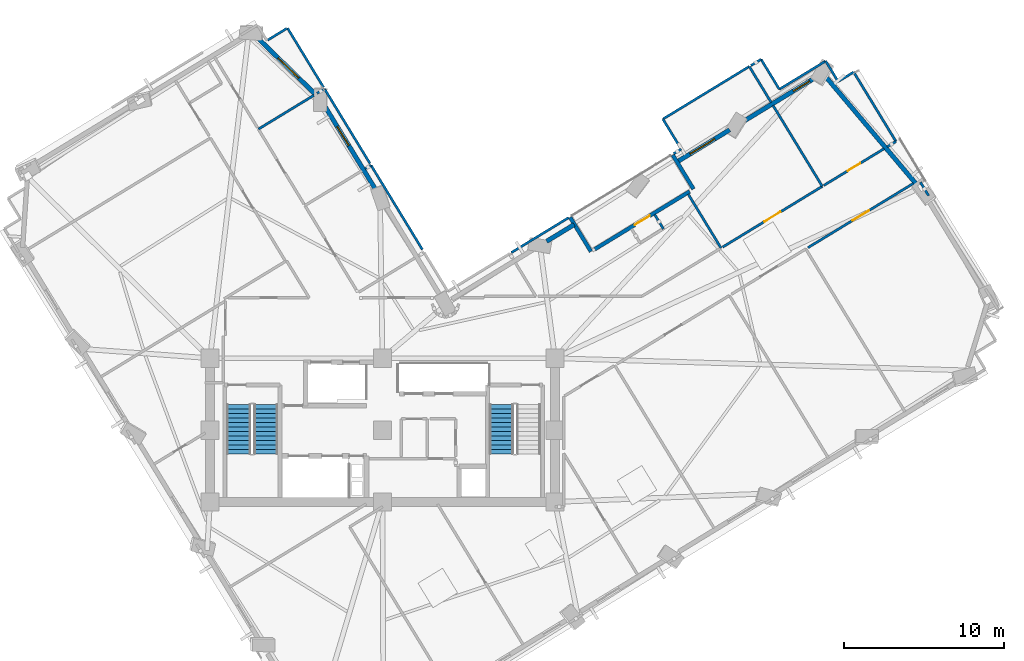
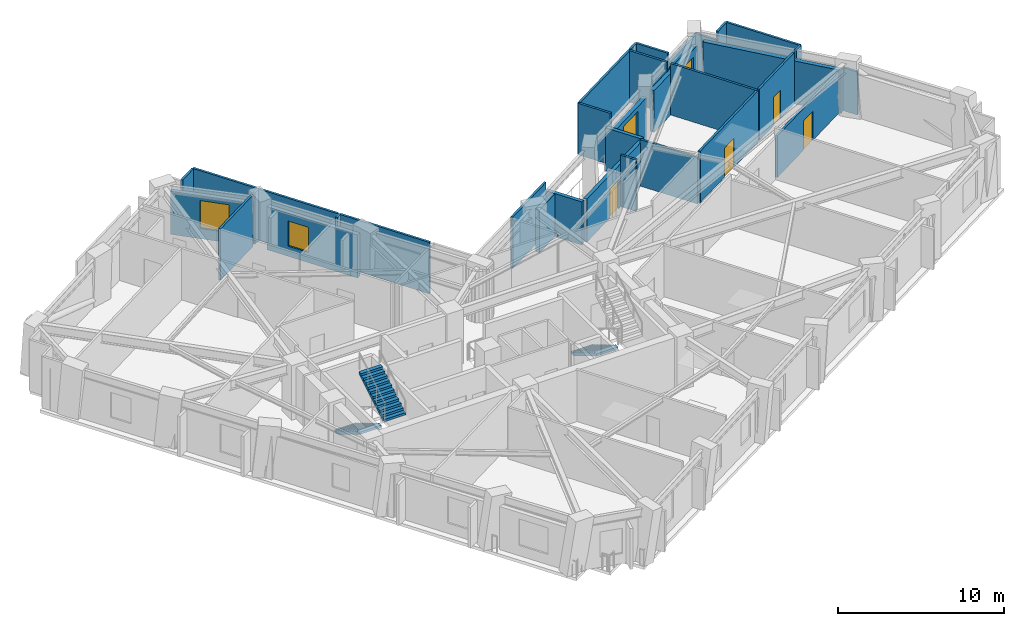
# One storey, part 8 of 14: 35 walls, 4 doors, 4 windows, 3 stair flights, 8 openings, 2 elements without a shape of their own.
"""IFC4 building model written with IfcOpenShell, lengths in metres."""

from ifc_helpers import new_model, si_unit, direction, frame, frame_2d, origin, place, context, subcontext, project, spatial, polyline, rectangle, outline, extrude, material, layer, layer_set, type_object, element, fill, aggregate, save


model = new_model("IFC4")

# Units and contexts
model_context = context("Model", 3, precision=1e-05, world=origin(), true_north=direction((0.0, 1.0)))
body_context = subcontext(model_context, "Body", "Model", "MODEL_VIEW")
ifc_project = project(units=[si_unit("LENGTHUNIT", "METRE"), si_unit("AREAUNIT", "SQUARE_METRE"), si_unit("VOLUMEUNIT", "CUBIC_METRE"), si_unit("PLANEANGLEUNIT", "RADIAN"), si_unit("MASSUNIT", "GRAM", prefix="KILO")], contexts=[model_context])

# Site, building, storey
site_placement = place(None, origin())
site = spatial("IfcSite", under=ifc_project, at=site_placement, CompositionType="ELEMENT")
building_placement = place(site_placement, origin())
building = spatial("IfcBuilding", under=site, at=building_placement, Name="Gaonmaruhae Medical Tower", CompositionType="ELEMENT")
storey_placement = place(building_placement, frame((0.0, 0.0, 157.800048828125)))
storey = spatial("IfcBuildingStorey", under=building, at=storey_placement, Name="L37", CompositionType="ELEMENT", Elevation=157.800048828125)

# Wall, opening, door
ifc_material_1 = material(Name="Precast concrete C45/55", Category="concrete")
ifc_layer_1 = layer(ifc_material_1, 0.239990234375)
ifc_layer_set_1 = layer_set([ifc_layer_1], Name="Precast concrete C45/55")
wall_type_1 = type_object("IfcWallType", Name="EW-240 Ribbon & Shelter Insulated Precast Wall", PredefinedType="SOLIDWALL", material=ifc_layer_set_1)
wall_1_placement = place(storey_placement, frame((38.0927734375, 23.6259765625, 0.0), z_axis=(0.0, 0.0, 1.0), x_axis=(0.854000704192, 0.520271849363, 0.0)))
wall_1 = element("IfcWall", 1, at=wall_1_placement, inside=storey, type_object=wall_type_1, Name="L37 Recessed Terrace Enclosure Wall TERB", PredefinedType="SOLIDWALL", context=body_context, shape_type="SweptSolid", body=[
    extrude(rectangle(XDim=6.9599609375, YDim=0.239990234375, at=frame_2d((3.47998046875, 0.0))), origin(), (0.0, 0.0, 1.0), 3.1650390625),
])
opening_1_placement = place(wall_1_placement, frame((2.929931640625, 0.0, 0.0)))
opening_1 = element("IfcOpeningElement", 2, at=opening_1_placement, cuts=wall_1, Name="Opening TD-01", PredefinedType="OPENING", context=body_context, shape_type="SweptSolid", body=[
    extrude(rectangle(XDim=1.10009765625, YDim=2.14990234375, at=frame_2d((0.550048828125, 1.074951171875))), frame((0.0, 0.1298828125, 0.0), z_axis=(0.0, -1.0, 0.0), x_axis=(1.0, 0.0, 0.0)), (0.0, 0.0, 1.0), 0.260009765625),
])
ifc_material_2 = material(Name="Anodised aluminium and toughened safety glass", Category="aluminium")
door_type_1 = type_object("IfcDoorType", Name="TD-01 Terrace & Sky Garden Glazed Door 1100x2150", OperationType="NOTDEFINED", PredefinedType="DOOR", material=ifc_material_2)
door_1_placement = place(opening_1_placement, origin())
door_1 = element("IfcDoor", 3, at=door_1_placement, inside=storey, type_object=door_type_1, Name="L37 Outdoor Terrace Access Door SLB-L37-TER", OperationType="SINGLE_SWING_LEFT", OverallHeight=2.14990234375, OverallWidth=1.10009765625, PredefinedType="DOOR", context=body_context, shape_type="SweptSolid", body=[
    extrude(rectangle(XDim=1.10009765625, YDim=2.14990234375, at=frame_2d((0.550048828125, 1.074951171875))), frame((0.0, 0.02490234375, 0.0), z_axis=(0.0, -1.0, 0.0), x_axis=(1.0, 0.0, 0.0)), (0.0, 0.0, 1.0), 0.050048828125),
])
fill(opening_1, door_1)

# Walls
for number, where, z_axis, x_axis, name in (
    (4, (36.552978515625, 25.615234375, 0.0), (0.0, 0.0, 1.0), (0.520228849657, -0.854026898865, 0.0), "L37 Recessed Terrace Enclosure Wall TERL"),
    (5, (44.275634765625, 27.392578125, 0.0), (0.0, 0.0, 1.0), (-0.520228849657, 0.854026898865, 0.0), "L37 Recessed Terrace Enclosure Wall TERR"),
):
    element("IfcWall", number, at=place(storey_placement, frame(where, z_axis=z_axis, x_axis=x_axis)), inside=storey, type_object=wall_type_1, Name=name, PredefinedType="SOLIDWALL", context=body_context, shape_type="SweptSolid", body=[
        extrude(rectangle(XDim=2.5, YDim=0.239990234375, at=frame_2d((1.25, 0.0))), origin(), (0.0, 0.0, 1.0), 3.1650390625),
    ])
ifc_layer_2 = layer(ifc_material_1, 0.280029296875)
ifc_layer_set_2 = layer_set([ifc_layer_2], Name="Precast concrete C45/55")
wall_type_2 = type_object("IfcWallType", Name="EW-280 Upper Precast Masonry-Frame Facade Wall", PredefinedType="SOLIDWALL", material=ifc_layer_set_2)
wall_2_placement = place(storey_placement, frame((52.57275390625, 34.40380859375, 0.0), z_axis=(0.0, 0.0, 1.0), x_axis=(0.644659621066, -0.764469733192, 0.0)))
element("IfcWall", 6, at=wall_2_placement, inside=storey, type_object=wall_type_2, Name="L37 Precast Masonry-Frame Wall E02-E03", PredefinedType="SOLIDWALL", context=body_context, shape_type="SweptSolid", body=[
    extrude(rectangle(XDim=8.837646484375, YDim=0.280029296875, at=frame_2d((4.4189453125, 0.0))), origin(), (0.0, 0.0, 1.0), 3.1650390625),
])

# Wall, opening, window
wall_3_placement = place(storey_placement, frame((47.36083984375, 31.602294921875, 0.0), z_axis=(0.0, 0.0, 1.0), x_axis=(0.853997871671, 0.520276498779, 0.0)))
wall_3 = element("IfcWall", 7, at=wall_3_placement, inside=storey, type_object=wall_type_2, Name="L37 Precast Masonry-Frame Wall E03-EN01", PredefinedType="SOLIDWALL", context=body_context, shape_type="SweptSolid", body=[
    extrude(rectangle(XDim=5.40478515625, YDim=0.280029296875, at=frame_2d((2.702392578125, 0.0))), origin(), (0.0, 0.0, 1.0), 3.06494140625),
])
opening_2_placement = place(wall_3_placement, frame((3.706787109375, 0.0, 0.75)))
opening_2 = element("IfcOpeningElement", 8, at=opening_2_placement, cuts=wall_3, Name="Opening WN-05", PredefinedType="OPENING", context=body_context, shape_type="SweptSolid", body=[
    extrude(rectangle(XDim=1.199951171875, YDim=1.75, at=frame_2d((0.60009765625, 0.875))), frame((0.0, 0.14990234375, 0.0), z_axis=(0.0, -1.0, 0.0), x_axis=(1.0, 0.0, 0.0)), (0.0, 0.0, 1.0), 0.300048828125),
])
ifc_material_3 = material(Name="Anodised aluminium and Low-E double glazing", Category="aluminium")
window_type_1 = type_object("IfcWindowType", Name="WN-05 Support & Staff Punched Window 1200x1750", PartitioningType="SINGLE_PANEL", PredefinedType="WINDOW", material=ifc_material_3)
window_1_placement = place(opening_2_placement, origin())
window_1 = element("IfcWindow", 9, at=window_1_placement, inside=storey, type_object=window_type_1, Name="L37 Modular Facade Window E03", OverallHeight=1.75, OverallWidth=1.199951171875, PartitioningType="SINGLE_PANEL", PredefinedType="WINDOW", context=body_context, shape_type="SweptSolid", body=[
    extrude(rectangle(XDim=1.199951171875, YDim=1.75, at=frame_2d((0.60009765625, 0.875))), frame((0.0, 0.030029296875, 0.0), z_axis=(0.0, -1.0, 0.0), x_axis=(1.0, 0.0, 0.0)), (0.0, 0.0, 1.0), 0.06005859375),
])
fill(opening_2, window_1)

wall_4_placement = place(storey_placement, frame((43.257568359375, 29.1025390625, 0.0), z_axis=(0.0, 0.0, 1.0), x_axis=(0.853981369465, 0.520303585041, 0.0)))
wall_4 = element("IfcWall", 10, at=wall_4_placement, inside=storey, type_object=wall_type_2, Name="L37 Precast Masonry-Frame Wall EN01-EN02", PredefinedType="SOLIDWALL", context=body_context, shape_type="SweptSolid", body=[
    extrude(rectangle(XDim=3.843505859375, YDim=0.280029296875, at=frame_2d((1.921875, 0.0))), origin(), (0.0, 0.0, 1.0), 3.14501953125),
])
opening_3_placement = place(wall_4_placement, frame((0.94287109375, 0.0, 0.75)))
opening_3 = element("IfcOpeningElement", 11, at=opening_3_placement, cuts=wall_4, Name="Opening WN-04", PredefinedType="OPENING", context=body_context, shape_type="SweptSolid", body=[
    extrude(rectangle(XDim=1.800048828125, YDim=2.050048828125, at=frame_2d((0.89990234375, 1.02490234375))), frame((0.0, 0.14990234375, 0.0), z_axis=(0.0, -1.0, 0.0), x_axis=(1.0, 0.0, 0.0)), (0.0, 0.0, 1.0), 0.300048828125),
])
window_type_2 = type_object("IfcWindowType", Name="WN-04 Clinic & Consult Punched Window 1800x2050", PartitioningType="SINGLE_PANEL", PredefinedType="WINDOW", material=ifc_material_3)
window_2_placement = place(opening_3_placement, origin())
window_2 = element("IfcWindow", 12, at=window_2_placement, inside=storey, type_object=window_type_2, Name="L37 Modular Facade Window EN01", OverallHeight=2.050048828125, OverallWidth=1.800048828125, PartitioningType="SINGLE_PANEL", PredefinedType="WINDOW", context=body_context, shape_type="SweptSolid", body=[
    extrude(rectangle(XDim=1.800048828125, YDim=2.050048828125, at=frame_2d((0.89990234375, 1.02490234375))), frame((0.0, 0.030029296875, 0.0), z_axis=(0.0, -1.0, 0.0), x_axis=(1.0, 0.0, 0.0)), (0.0, 0.0, 1.0), 0.06005859375),
])
fill(opening_3, window_2)

# Wall
wall_5_placement = place(storey_placement, frame((35.077392578125, 24.119140625, 0.0), z_axis=(0.0, 0.0, 1.0), x_axis=(0.853983619902, 0.52029989135, 0.0)))
element("IfcWall", 13, at=wall_5_placement, inside=storey, type_object=wall_type_2, Name="L37 Precast Masonry-Frame Wall EN02-EN03", PredefinedType="SOLIDWALL", context=body_context, shape_type="SweptSolid", body=[
    extrude(rectangle(XDim=2.0185546875, YDim=0.280029296875, at=frame_2d((1.00927734375, 0.0))), origin(), (0.0, 0.0, 1.0), 3.14501953125),
])

# Wall, opening, window
wall_6_placement = place(storey_placement, frame((24.4482421875, 27.232421875, 0.0), z_axis=(0.0, 0.0, 1.0), x_axis=(-0.520230695159, 0.854025774678, 0.0)))
wall_6 = element("IfcWall", 14, at=wall_6_placement, inside=storey, type_object=wall_type_2, Name="L37 Precast Masonry-Frame Wall NE01-NE02", PredefinedType="SOLIDWALL", context=body_context, shape_type="SweptSolid", body=[
    extrude(rectangle(XDim=6.222900390625, YDim=0.280029296875, at=frame_2d((3.111328125, 0.0))), origin(), (0.0, 0.0, 1.0), 3.1650390625),
])
opening_4_placement = place(wall_6_placement, frame((3.373779296875, 0.0, 0.75)))
opening_4 = element("IfcOpeningElement", 15, at=opening_4_placement, cuts=wall_6, Name="Opening WN-03", PredefinedType="OPENING", context=body_context, shape_type="SweptSolid", body=[
    extrude(rectangle(XDim=1.39990234375, YDim=1.85009765625, at=frame_2d((0.699951171875, 0.925048828125))), frame((0.0, 0.14990234375, 0.0), z_axis=(0.0, -1.0, 0.0), x_axis=(1.0, 0.0, 0.0)), (0.0, 0.0, 1.0), 0.300048828125),
])
window_type_3 = type_object("IfcWindowType", Name="WN-03 Isolation Ward Punched Window 1400x1850", PartitioningType="SINGLE_PANEL", PredefinedType="WINDOW", material=ifc_material_3)
window_3_placement = place(opening_4_placement, origin())
window_3 = element("IfcWindow", 16, at=window_3_placement, inside=storey, type_object=window_type_3, Name="L37 Modular Facade Window NE01", OverallHeight=1.85009765625, OverallWidth=1.39990234375, PartitioningType="SINGLE_PANEL", PredefinedType="WINDOW", context=body_context, shape_type="SweptSolid", body=[
    extrude(rectangle(XDim=1.39990234375, YDim=1.85009765625, at=frame_2d((0.699951171875, 0.925048828125))), frame((0.0, 0.030029296875, 0.0), z_axis=(0.0, -1.0, 0.0), x_axis=(1.0, 0.0, 0.0)), (0.0, 0.0, 1.0), 0.06005859375),
])
fill(opening_4, window_3)

wall_7_placement = place(storey_placement, frame((16.9580078125, 36.87939453125, 0.0), z_axis=(0.0, 0.0, 1.0), x_axis=(0.716061838251, -0.698036849888, 0.0)))
wall_7 = element("IfcWall", 17, at=wall_7_placement, inside=storey, type_object=wall_type_2, Name="L37 Precast Masonry-Frame Wall NE02-N01", PredefinedType="SOLIDWALL", context=body_context, shape_type="SweptSolid", body=[
    extrude(rectangle(XDim=5.0927734375, YDim=0.280029296875, at=frame_2d((2.54638671875, 0.0))), origin(), (0.0, 0.0, 1.0), 3.1650390625),
])
opening_5_placement = place(wall_7_placement, frame((1.82958984375, 0.0, 0.75)))
opening_5 = element("IfcOpeningElement", 18, at=opening_5_placement, cuts=wall_7, Name="Opening WN-04", PredefinedType="OPENING", context=body_context, shape_type="SweptSolid", body=[
    extrude(rectangle(XDim=1.800048828125, YDim=2.050048828125, at=frame_2d((0.89990234375, 1.02490234375))), frame((0.0, 0.14990234375, 0.0), z_axis=(0.0, -1.0, 0.0), x_axis=(1.0, 0.0, 0.0)), (0.0, 0.0, 1.0), 0.300048828125),
])
window_4_placement = place(opening_5_placement, origin())
window_4 = element("IfcWindow", 19, at=window_4_placement, inside=storey, type_object=window_type_2, Name="L37 Modular Facade Window NE02", OverallHeight=2.050048828125, OverallWidth=1.800048828125, PartitioningType="SINGLE_PANEL", PredefinedType="WINDOW", context=body_context, shape_type="SweptSolid", body=[
    extrude(rectangle(XDim=1.800048828125, YDim=2.050048828125, at=frame_2d((0.89990234375, 1.02490234375))), frame((0.0, 0.030029296875, 0.0), z_axis=(0.0, -1.0, 0.0), x_axis=(1.0, 0.0, 0.0)), (0.0, 0.0, 1.0), 0.06005859375),
])
fill(opening_5, window_4)

# Wall, opening, door
ifc_material_4 = material(Name="Gypsum board partition", Category="gypsum")
ifc_layer_3 = layer(ifc_material_4, 0.14990234375)
ifc_layer_set_3 = layer_set([ifc_layer_3], Name="Gypsum board partition")
wall_type_3 = type_object("IfcWallType", Name="PW-150 Rated Clinical Corridor Partition", PredefinedType="PARTITIONING", material=ifc_layer_set_3)
wall_8_placement = place(storey_placement, frame((51.43896484375, 23.72412109375, 0.0), z_axis=(0.0, 0.0, 1.0), x_axis=(0.854030727283, 0.520222564732, 0.0)))
wall_8 = element("IfcWall", 20, at=wall_8_placement, inside=storey, type_object=wall_type_3, Name="L37 Interior Partition L37-SUP07-29", PredefinedType="PARTITIONING", context=body_context, shape_type="SweptSolid", body=[
    extrude(rectangle(XDim=7.72705078125, YDim=0.14990234375, at=frame_2d((3.863525390625, 0.0))), origin(), (0.0, 0.0, 1.0), 3.06494140625),
])
opening_6_placement = place(wall_8_placement, frame((3.263427734375, 0.0, 0.0)))
opening_6 = element("IfcOpeningElement", 21, at=opening_6_placement, cuts=wall_8, Name="Opening CD-02", PredefinedType="OPENING", context=body_context, shape_type="SweptSolid", body=[
    extrude(rectangle(XDim=1.199951171875, YDim=2.14990234375, at=frame_2d((0.60009765625, 1.074951171875))), frame((0.0, 0.0849609375, 0.0), z_axis=(0.0, -1.0, 0.0), x_axis=(1.0, 0.0, 0.0)), (0.0, 0.0, 1.0), 0.169921875),
])
ifc_material_5 = material(Name="Antimicrobial laminate timber fire door", Category="wood")
door_type_2 = type_object("IfcDoorType", Name="CD-02 Clinical Treatment & Procedure Door 1200x2150", OperationType="NOTDEFINED", PredefinedType="DOOR", material=ifc_material_5)
door_2_placement = place(opening_6_placement, origin())
door_2 = element("IfcDoor", 22, at=door_2_placement, inside=storey, type_object=door_type_2, Name="L37 Clinical Biomedical Charting Office Door", OperationType="SINGLE_SWING_LEFT", OverallHeight=2.14990234375, OverallWidth=1.199951171875, PredefinedType="DOOR", context=body_context, shape_type="SweptSolid", body=[
    extrude(rectangle(XDim=1.199951171875, YDim=2.14990234375, at=frame_2d((0.60009765625, 1.074951171875))), frame((0.0, 0.02490234375, 0.0), z_axis=(0.0, -1.0, 0.0), x_axis=(1.0, 0.0, 0.0)), (0.0, 0.0, 1.0), 0.050048828125),
])
fill(opening_6, door_2)

# Walls
wall_9_placement = place(storey_placement, frame((58.47900390625, 27.823974609375, 0.0), z_axis=(0.0, 0.0, 1.0), x_axis=(0.520080187423, -0.854117438442, 0.0)))
element("IfcWall", 23, at=wall_9_placement, inside=storey, type_object=wall_type_3, Name="L37 Interior Partition L37-SUP07-30", PredefinedType="PARTITIONING", context=body_context, shape_type="SweptSolid", body=[
    extrude(rectangle(XDim=0.988037109375, YDim=0.14990234375, at=frame_2d((0.494140625, 0.0))), origin(), (0.0, 0.0, 1.0), 3.1650390625),
])
wall_10_placement = place(storey_placement, frame((42.388916015625, 24.89697265625, 0.0), z_axis=(0.0, 0.0, 1.0), x_axis=(-0.520167150094, 0.85406447998, 0.0)))
element("IfcWall", 24, at=wall_10_placement, inside=storey, type_object=wall_type_3, Name="L37 Interior Partition L37-IE02-71", PredefinedType="PARTITIONING", context=body_context, shape_type="SweptSolid", body=[
    extrude(rectangle(XDim=1.05517578125, YDim=0.14990234375, at=frame_2d((0.527587890625, 0.0))), origin(), (0.0, 0.0, 1.0), 3.780029296875),
])
wall_11_placement = place(storey_placement, frame((43.93994140625, 27.076904296875, 0.0), z_axis=(0.0, 0.0, 1.0), x_axis=(0.52031109825, -0.853976791861, 0.0)))
element("IfcWall", 25, at=wall_11_placement, inside=storey, type_object=wall_type_3, Name="L37 Interior Partition L37-IE02-72", PredefinedType="PARTITIONING", context=body_context, shape_type="SweptSolid", body=[
    extrude(rectangle(XDim=3.95556640625, YDim=0.14990234375, at=frame_2d((1.977783203125, 0.0))), origin(), (0.0, 0.0, 1.0), 3.4150390625),
])
wall_12_placement = place(storey_placement, frame((32.8720703125, 23.419921875, 0.0), z_axis=(0.0, 0.0, 1.0), x_axis=(0.854016662938, 0.52024565296, 0.0)))
element("IfcWall", 26, at=wall_12_placement, inside=storey, type_object=wall_type_3, Name="L37 Interior Partition L37-IE02-75", PredefinedType="PARTITIONING", context=body_context, shape_type="SweptSolid", body=[
    extrude(rectangle(XDim=4.199951171875, YDim=0.14990234375, at=frame_2d((2.10009765625, 0.0))), origin(), (0.0, 0.0, 1.0), 3.780029296875),
])
wall_13_placement = place(storey_placement, frame((43.028076171875, 29.60693359375, 0.0), z_axis=(0.0, 0.0, 1.0), x_axis=(0.854011196361, 0.520254626591, 0.0)))
element("IfcWall", 27, at=wall_13_placement, inside=storey, type_object=wall_type_3, Name="L37 Interior Partition L37-IE03-76", PredefinedType="PARTITIONING", context=body_context, shape_type="SweptSolid", body=[
    extrude(rectangle(XDim=0.5537109375, YDim=0.14990234375, at=frame_2d((0.27685546875, 0.0))), origin(), (0.0, 0.0, 1.0), 3.14501953125),
])
wall_14_placement = place(storey_placement, frame((43.5009765625, 29.89501953125, 0.0), z_axis=(0.0, 0.0, 1.0), x_axis=(-0.520390400484, 0.853928469536, 0.0)))
element("IfcWall", 28, at=wall_14_placement, inside=storey, type_object=wall_type_3, Name="L37 Interior Partition L37-IE03-77", PredefinedType="PARTITIONING", context=body_context, shape_type="SweptSolid", body=[
    extrude(rectangle(XDim=2.2001953125, YDim=0.14990234375, at=frame_2d((1.10009765625, 0.0))), origin(), (0.0, 0.0, 1.0), 3.780029296875),
])
wall_15_placement = place(storey_placement, frame((42.35595703125, 31.77392578125, 0.0), z_axis=(0.0, 0.0, 1.0), x_axis=(0.854004220145, 0.520266078055, 0.0)))
element("IfcWall", 29, at=wall_15_placement, inside=storey, type_object=wall_type_3, Name="L37 Interior Partition L37-IE03-78", PredefinedType="PARTITIONING", context=body_context, shape_type="SweptSolid", body=[
    extrude(rectangle(XDim=6.33349609375, YDim=0.14990234375, at=frame_2d((3.166748046875, 0.0))), origin(), (0.0, 0.0, 1.0), 3.780029296875),
])
wall_16_placement = place(storey_placement, frame((47.764892578125, 35.069091796875, 0.0), z_axis=(0.0, 0.0, 1.0), x_axis=(0.520370172675, -0.853940796185, 0.0)))
element("IfcWall", 30, at=wall_16_placement, inside=storey, type_object=wall_type_3, Name="L37 Interior Partition L37-IE03-79", PredefinedType="PARTITIONING", context=body_context, shape_type="SweptSolid", body=[
    extrude(rectangle(XDim=2.634765625, YDim=0.14990234375, at=frame_2d((1.3173828125, 0.0))), origin(), (0.0, 0.0, 1.0), 3.780029296875),
])
wall_17_placement = place(storey_placement, frame((49.256103515625, 32.6220703125, 0.0), z_axis=(0.0, 0.0, 1.0), x_axis=(0.520312896465, -0.853975696242, 0.0)))
element("IfcWall", 31, at=wall_17_placement, inside=storey, type_object=wall_type_3, Name="L37 Interior Partition L37-IE03-80", PredefinedType="PARTITIONING", context=body_context, shape_type="SweptSolid", body=[
    extrude(rectangle(XDim=5.92529296875, YDim=0.14990234375, at=frame_2d((2.962646484375, 0.0))), origin(), (0.0, 0.0, 1.0), 3.780029296875),
])

# Wall, opening, door
wall_18_placement = place(storey_placement, frame((52.339111328125, 27.56201171875, 0.0), z_axis=(0.0, 0.0, 1.0), x_axis=(-0.85405331728, -0.520185477733, 0.0)))
wall_18 = element("IfcWall", 32, at=wall_18_placement, inside=storey, type_object=wall_type_3, Name="L37 Interior Partition L37-IE03-81", PredefinedType="PARTITIONING", context=body_context, shape_type="SweptSolid", body=[
    extrude(rectangle(XDim=7.30517578125, YDim=0.14990234375, at=frame_2d((3.652587890625, 0.0))), origin(), (0.0, 0.0, 1.0), 3.780029296875),
])
opening_7_placement = place(wall_18_placement, frame((3.052490234375, 0.0, 0.0)))
opening_7 = element("IfcOpeningElement", 33, at=opening_7_placement, cuts=wall_18, Name="Opening CD-02", PredefinedType="OPENING", context=body_context, shape_type="SweptSolid", body=[
    extrude(rectangle(XDim=1.199951171875, YDim=2.14990234375, at=frame_2d((0.60009765625, 1.074951171875))), frame((0.0, 0.0849609375, 0.0), z_axis=(0.0, -1.0, 0.0), x_axis=(1.0, 0.0, 0.0)), (0.0, 0.0, 1.0), 0.169921875),
])
door_3_placement = place(opening_7_placement, origin())
door_3 = element("IfcDoor", 34, at=door_3_placement, inside=storey, type_object=door_type_2, Name="L37 Clean Medication Preparation Room Door", OperationType="SINGLE_SWING_RIGHT", OverallHeight=2.14990234375, OverallWidth=1.199951171875, PredefinedType="DOOR", context=body_context, shape_type="SweptSolid", body=[
    extrude(rectangle(XDim=1.199951171875, YDim=2.14990234375, at=frame_2d((0.60009765625, 1.074951171875))), frame((0.0, 0.02490234375, 0.0), z_axis=(0.0, -1.0, 0.0), x_axis=(1.0, 0.0, 0.0)), (0.0, 0.0, 1.0), 0.050048828125),
])
fill(opening_7, door_3)

# Walls
wall_19_placement = place(storey_placement, frame((49.64990234375, 33.64111328125, 0.0), z_axis=(0.0, 0.0, 1.0), x_axis=(0.853969265072, 0.520323451627, 0.0)))
element("IfcWall", 35, at=wall_19_placement, inside=storey, type_object=wall_type_3, Name="L37 Interior Partition L37-IE04-82", PredefinedType="PARTITIONING", context=body_context, shape_type="SweptSolid", body=[
    extrude(rectangle(XDim=3.393798828125, YDim=0.14990234375, at=frame_2d((1.69677734375, 0.0))), origin(), (0.0, 0.0, 1.0), 3.06494140625),
])
wall_20_placement = place(storey_placement, frame((52.548095703125, 35.406982421875, 0.0), z_axis=(0.0, 0.0, 1.0), x_axis=(0.520561131916, -0.853824401114, 0.0)))
element("IfcWall", 36, at=wall_20_placement, inside=storey, type_object=wall_type_3, Name="L37 Interior Partition L37-IE04-83", PredefinedType="PARTITIONING", context=body_context, shape_type="SweptSolid", body=[
    extrude(rectangle(XDim=1.500244140625, YDim=0.14990234375, at=frame_2d((0.75, 0.0))), origin(), (0.0, 0.0, 1.0), 3.1650390625),
])
wall_21_placement = place(storey_placement, frame((53.3291015625, 34.1259765625, 0.0), z_axis=(0.0, 0.0, 1.0), x_axis=(0.85387979276, 0.520470267657, 0.0)))
element("IfcWall", 37, at=wall_21_placement, inside=storey, type_object=wall_type_3, Name="L37 Interior Partition L37-IE04-84", PredefinedType="PARTITIONING", context=body_context, shape_type="SweptSolid", body=[
    extrude(rectangle(XDim=1.139404296875, YDim=0.14990234375, at=frame_2d((0.56982421875, 0.0))), origin(), (0.0, 0.0, 1.0), 3.780029296875),
])
wall_22_placement = place(storey_placement, frame((54.302001953125, 34.718994140625, 0.0), z_axis=(0.0, 0.0, 1.0), x_axis=(0.520232990143, -0.854024376682, 0.0)))
element("IfcWall", 38, at=wall_22_placement, inside=storey, type_object=wall_type_3, Name="L37 Interior Partition L37-IE04-85", PredefinedType="PARTITIONING", context=body_context, shape_type="SweptSolid", body=[
    extrude(rectangle(XDim=5.08984375, YDim=0.14990234375, at=frame_2d((2.544921875, 0.0))), origin(), (0.0, 0.0, 1.0), 3.780029296875),
])
wall_23_placement = place(storey_placement, frame((56.949951171875, 30.3720703125, 0.0), z_axis=(0.0, 0.0, 1.0), x_axis=(-0.853696820329, -0.520770332258, 0.0)))
element("IfcWall", 39, at=wall_23_placement, inside=storey, type_object=wall_type_3, Name="L37 Interior Partition L37-IE04-86", PredefinedType="PARTITIONING", context=body_context, shape_type="SweptSolid", body=[
    extrude(rectangle(XDim=0.639404296875, YDim=0.14990234375, at=frame_2d((0.31982421875, 0.0))), origin(), (0.0, 0.0, 1.0), 3.780029296875),
])

# Wall, opening, door
wall_24_placement = place(storey_placement, frame((56.205078125, 29.91796875, 0.0), z_axis=(0.0, 0.0, 1.0), x_axis=(-0.854023088478, -0.520235104877, 0.0)))
wall_24 = element("IfcWall", 40, at=wall_24_placement, inside=storey, type_object=wall_type_3, Name="L37 Interior Partition L37-IE04-87", PredefinedType="PARTITIONING", context=body_context, shape_type="SweptSolid", body=[
    extrude(rectangle(XDim=4.407470703125, YDim=0.14990234375, at=frame_2d((2.20361328125, 0.0))), origin(), (0.0, 0.0, 1.0), 3.780029296875),
])
opening_8_placement = place(wall_24_placement, frame((1.74365234375, 0.0, 0.0)))
opening_8 = element("IfcOpeningElement", 41, at=opening_8_placement, cuts=wall_24, Name="Opening UD-01", PredefinedType="OPENING", context=body_context, shape_type="SweptSolid", body=[
    extrude(rectangle(XDim=0.919921875, YDim=2.10009765625, at=frame_2d((0.4599609375, 1.050048828125))), frame((0.0, 0.0849609375, 0.0), z_axis=(0.0, -1.0, 0.0), x_axis=(1.0, 0.0, 0.0)), (0.0, 0.0, 1.0), 0.169921875),
])
ifc_material_6 = material(Name="Powder-coated steel utility door", Category="steel")
door_type_3 = type_object("IfcDoorType", Name="UD-01 Toilet, Utility & Housekeeping Door 920x2100", OperationType="NOTDEFINED", PredefinedType="DOOR", material=ifc_material_6)
door_4_placement = place(opening_8_placement, origin())
door_4 = element("IfcDoor", 42, at=door_4_placement, inside=storey, type_object=door_type_3, Name="L37 Accessible Public Toilet Door", OperationType="SINGLE_SWING_RIGHT", OverallHeight=2.10009765625, OverallWidth=0.919921875, PredefinedType="DOOR", context=body_context, shape_type="SweptSolid", body=[
    extrude(rectangle(XDim=0.919921875, YDim=2.10009765625, at=frame_2d((0.4599609375, 1.050048828125))), frame((0.0, 0.02490234375, 0.0), z_axis=(0.0, -1.0, 0.0), x_axis=(1.0, 0.0, 0.0)), (0.0, 0.0, 1.0), 0.050048828125),
])
fill(opening_8, door_4)

# Walls
wall_25_placement = place(storey_placement, frame((47.867919921875, 35.131103515625, 0.0), z_axis=(0.0, 0.0, 1.0), x_axis=(0.853483928933, 0.521119163967, 0.0)))
element("IfcWall", 43, at=wall_25_placement, inside=storey, type_object=wall_type_3, Name="L37 Interior Partition L37-IE04-88", PredefinedType="PARTITIONING", context=body_context, shape_type="SweptSolid", body=[
    extrude(rectangle(XDim=0.746337890625, YDim=0.14990234375, at=frame_2d((0.373046875, 0.0))), origin(), (0.0, 0.0, 1.0), 3.780029296875),
])
wall_26_placement = place(storey_placement, frame((48.5048828125, 35.52001953125, 0.0), z_axis=(0.0, 0.0, 1.0), x_axis=(0.520390400484, -0.853928469536, 0.0)))
element("IfcWall", 44, at=wall_26_placement, inside=storey, type_object=wall_type_3, Name="L37 Interior Partition L37-IE04-89", PredefinedType="PARTITIONING", context=body_context, shape_type="SweptSolid", body=[
    extrude(rectangle(XDim=2.2001953125, YDim=0.14990234375, at=frame_2d((1.10009765625, 0.0))), origin(), (0.0, 0.0, 1.0), 3.780029296875),
])
wall_27_placement = place(storey_placement, frame((23.714111328125, 28.659912109375, 0.0), z_axis=(0.0, 0.0, 1.0), x_axis=(0.853851017382, 0.520517473401, 0.0)))
element("IfcWall", 45, at=wall_27_placement, inside=storey, type_object=wall_type_3, Name="L37 Interior Partition L37-IN01-92", PredefinedType="PARTITIONING", context=body_context, shape_type="SweptSolid", body=[
    extrude(rectangle(XDim=0.434326171875, YDim=0.14990234375, at=frame_2d((0.21728515625, 0.0))), origin(), (0.0, 0.0, 1.0), 3.780029296875),
])
wall_28_placement = place(storey_placement, frame((24.0849609375, 28.885986328125, 0.0), z_axis=(0.0, 0.0, 1.0), x_axis=(0.520223881185, -0.85402992538, 0.0)))
element("IfcWall", 46, at=wall_28_placement, inside=storey, type_object=wall_type_3, Name="L37 Interior Partition L37-IN01-93", PredefinedType="PARTITIONING", context=body_context, shape_type="SweptSolid", body=[
    extrude(rectangle(XDim=6.18017578125, YDim=0.14990234375, at=frame_2d((3.090087890625, 0.0))), origin(), (0.0, 0.0, 1.0), 3.780029296875),
])
wall_29_placement = place(storey_placement, frame((17.030029296875, 31.14501953125, 0.0), z_axis=(0.0, 0.0, 1.0), x_axis=(0.853935379197, 0.520379061988, 0.0)))
element("IfcWall", 47, at=wall_29_placement, inside=storey, type_object=wall_type_3, Name="L37 Interior Partition L37-IN02-95", PredefinedType="PARTITIONING", context=body_context, shape_type="SweptSolid", body=[
    extrude(rectangle(XDim=4.068115234375, YDim=0.14990234375, at=frame_2d((2.0341796875, 0.0))), origin(), (0.0, 0.0, 1.0), 3.780029296875),
])
wall_30_placement = place(storey_placement, frame((20.702880859375, 33.384033203125, 0.0), z_axis=(0.0, 0.0, 1.0), x_axis=(0.854172741776, 0.519989352975, 0.0)))
element("IfcWall", 48, at=wall_30_placement, inside=storey, type_object=wall_type_3, Name="L37 Interior Partition L37-IN02-96", PredefinedType="PARTITIONING", context=body_context, shape_type="SweptSolid", body=[
    extrude(rectangle(XDim=0.5478515625, YDim=0.14990234375, at=frame_2d((0.27392578125, 0.0))), origin(), (0.0, 0.0, 1.0), 3.780029296875),
])
wall_31_placement = place(storey_placement, frame((21.1708984375, 33.6689453125, 0.0), z_axis=(0.0, 0.0, 1.0), x_axis=(0.520399103796, -0.853923165611, 0.0)))
element("IfcWall", 49, at=wall_31_placement, inside=storey, type_object=wall_type_3, Name="L37 Interior Partition L37-IN02-97", PredefinedType="PARTITIONING", context=body_context, shape_type="SweptSolid", body=[
    extrude(rectangle(XDim=5.48046875, YDim=0.14990234375, at=frame_2d((2.740234375, 0.0))), origin(), (0.0, 0.0, 1.0), 3.780029296875),
])
wall_32_placement = place(storey_placement, frame((18.85107421875, 37.47802734375, 0.0), z_axis=(0.0, 0.0, 1.0), x_axis=(0.52017533127, -0.854059497189, 0.0)))
element("IfcWall", 50, at=wall_32_placement, inside=storey, type_object=wall_type_3, Name="L37 Interior Partition L37-IN03-98", PredefinedType="PARTITIONING", context=body_context, shape_type="SweptSolid", body=[
    extrude(rectangle(XDim=4.340576171875, YDim=0.14990234375, at=frame_2d((2.17041015625, 0.0))), origin(), (0.0, 0.0, 1.0), 3.780029296875),
])
wall_33_placement = place(storey_placement, frame((17.613037109375, 36.722900390625, 0.0), z_axis=(0.0, 0.0, 1.0), x_axis=(0.85369973311, 0.520765557317, 0.0)))
element("IfcWall", 51, at=wall_33_placement, inside=storey, type_object=wall_type_3, Name="L37 Interior Partition L37-IN03-102", PredefinedType="PARTITIONING", context=body_context, shape_type="SweptSolid", body=[
    extrude(rectangle(XDim=1.39990234375, YDim=0.14990234375, at=frame_2d((0.699951171875, 0.0))), origin(), (0.0, 0.0, 1.0), 3.780029296875),
])

# Stair, stair flights
ifc_material_7 = material(Name="Concrete C40/50", Category="concrete")
stair_type = type_object("IfcStairType", Name="ST-T1 Primary Core Escape Dogleg Stair", PredefinedType="TWO_QUARTER_TURN_STAIR", material=ifc_material_7)
stair_1_placement = place(storey_placement, origin())
stair_1 = element("IfcStair", 52, at=stair_1_placement, inside=storey, type_object=stair_type, Name="L37 Protected Escape Stair ST-01", PredefinedType="TWO_QUARTER_TURN_STAIR")
stair_flight_type = type_object("IfcStairFlightType", Name="SF-T1 Primary Core Precast Stair Flight", PredefinedType="STRAIGHT", material=ifc_material_7)
stair_flight_1_placement = place(storey_placement, frame((15.800048828125, 13.89990234375, 0.0), z_axis=(0.0, 0.0, 1.0), x_axis=(0.0, -1.0, 0.0)))
stair_flight_1 = element("IfcStairFlight", 53, at=stair_flight_1_placement, type_object=stair_flight_type, Name="ST-01 flight 1", NumberOfRisers=12, NumberOfTreads=11, PredefinedType="STRAIGHT", RiserHeight=0.166666667, TreadLength=0.28, context=body_context, shape_type="SweptSolid", body=[
    extrude(outline(polyline([(0.0, 0.0), (0.0, 0.166748046875), (0.280029296875, 0.166748046875), (0.280029296875, 0.333251953125), (0.56005859375, 0.333251953125), (0.56005859375, 0.5), (0.840087890625, 0.5), (0.840087890625, 0.666748046875), (1.1201171875, 0.666748046875), (1.1201171875, 0.833251953125), (1.39990234375, 0.833251953125), (1.39990234375, 1.0), (1.679931640625, 1.0), (1.679931640625, 1.166748046875), (1.9599609375, 1.166748046875), (1.9599609375, 1.333251953125), (2.239990234375, 1.333251953125), (2.239990234375, 1.5), (2.52001953125, 1.5), (2.52001953125, 1.666748046875), (2.800048828125, 1.666748046875), (2.800048828125, 1.833251953125), (3.080078125, 1.833251953125), (3.080078125, 2.0), (3.080078125, 1.658935546875), (0.29296875, 0.0), (0.0, 0.0)])), frame((0.0, 0.75, 0.0), z_axis=(0.0, -1.0, 0.0), x_axis=(1.0, 0.0, 0.0)), (0.0, 0.0, 1.0), 1.5),
])
stair_flight_2_placement = place(storey_placement, frame((17.5, 10.820068359375, 2.0), z_axis=(0.0, 0.0, 1.0), x_axis=(0.0, 1.0, 0.0)))
stair_flight_2 = element("IfcStairFlight", 54, at=stair_flight_2_placement, type_object=stair_flight_type, Name="ST-01 flight 2", NumberOfRisers=12, NumberOfTreads=11, PredefinedType="STRAIGHT", RiserHeight=0.166666667, TreadLength=0.28, context=body_context, shape_type="SweptSolid", body=[
    extrude(outline(polyline([(0.0, 0.0), (0.0, 0.166748046875), (0.280029296875, 0.166748046875), (0.280029296875, 0.333251953125), (0.56005859375, 0.333251953125), (0.56005859375, 0.5), (0.840087890625, 0.5), (0.840087890625, 0.666748046875), (1.1201171875, 0.666748046875), (1.1201171875, 0.833251953125), (1.39990234375, 0.833251953125), (1.39990234375, 1.0), (1.679931640625, 1.0), (1.679931640625, 1.166748046875), (1.9599609375, 1.166748046875), (1.9599609375, 1.333251953125), (2.239990234375, 1.333251953125), (2.239990234375, 1.5), (2.52001953125, 1.5), (2.52001953125, 1.666748046875), (2.800048828125, 1.666748046875), (2.800048828125, 1.833251953125), (3.080078125, 1.833251953125), (3.080078125, 2.0), (3.080078125, 1.658935546875), (0.29296875, 0.0), (0.0, 0.0)])), frame((0.0, 0.75, 0.0), z_axis=(0.0, -1.0, 0.0), x_axis=(1.0, 0.0, 0.0)), (0.0, 0.0, 1.0), 1.5),
])
aggregate(stair_1, [stair_flight_1, stair_flight_2])

# Stair, stair flight
stair_2_placement = place(storey_placement, origin())
stair_2 = element("IfcStair", 55, at=stair_2_placement, inside=storey, type_object=stair_type, Name="L37 Protected Escape Stair ST-02", PredefinedType="TWO_QUARTER_TURN_STAIR")
stair_flight_3_placement = place(storey_placement, frame((32.25, 13.89990234375, 0.0), z_axis=(0.0, 0.0, 1.0), x_axis=(0.0, -1.0, 0.0)))
stair_flight_3 = element("IfcStairFlight", 56, at=stair_flight_3_placement, type_object=stair_flight_type, Name="ST-02 flight 1", NumberOfRisers=12, NumberOfTreads=11, PredefinedType="STRAIGHT", RiserHeight=0.166666667, TreadLength=0.28, context=body_context, shape_type="SweptSolid", body=[
    extrude(outline(polyline([(0.0, 0.0), (0.0, 0.166748046875), (0.280029296875, 0.166748046875), (0.280029296875, 0.333251953125), (0.56005859375, 0.333251953125), (0.56005859375, 0.5), (0.840087890625, 0.5), (0.840087890625, 0.666748046875), (1.1201171875, 0.666748046875), (1.1201171875, 0.833251953125), (1.39990234375, 0.833251953125), (1.39990234375, 1.0), (1.679931640625, 1.0), (1.679931640625, 1.166748046875), (1.9599609375, 1.166748046875), (1.9599609375, 1.333251953125), (2.239990234375, 1.333251953125), (2.239990234375, 1.5), (2.52001953125, 1.5), (2.52001953125, 1.666748046875), (2.800048828125, 1.666748046875), (2.800048828125, 1.833251953125), (3.080078125, 1.833251953125), (3.080078125, 2.0), (3.080078125, 1.658935546875), (0.29296875, 0.0), (0.0, 0.0)])), frame((0.0, 0.75, 0.0), z_axis=(0.0, -1.0, 0.0), x_axis=(1.0, 0.0, 0.0)), (0.0, 0.0, 1.0), 1.5),
])
aggregate(stair_2, [stair_flight_3])

save(model, "model.ifc")
